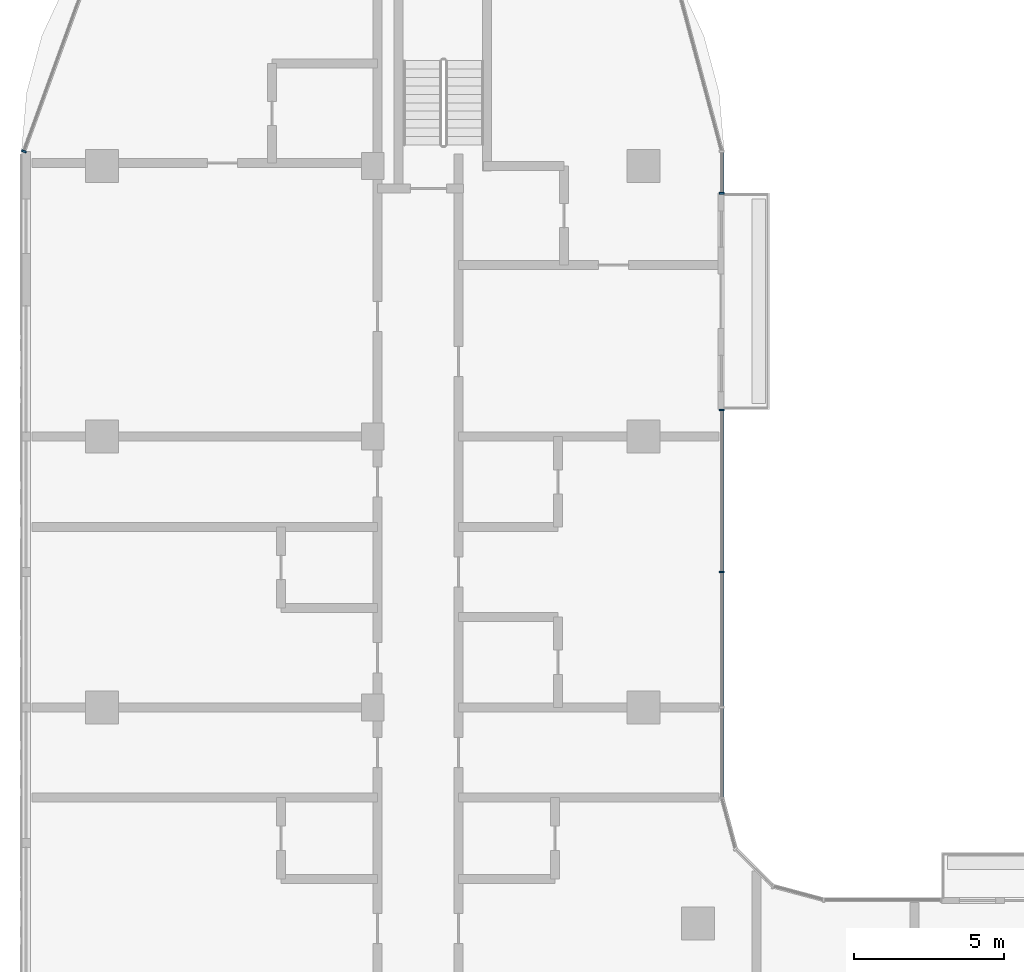
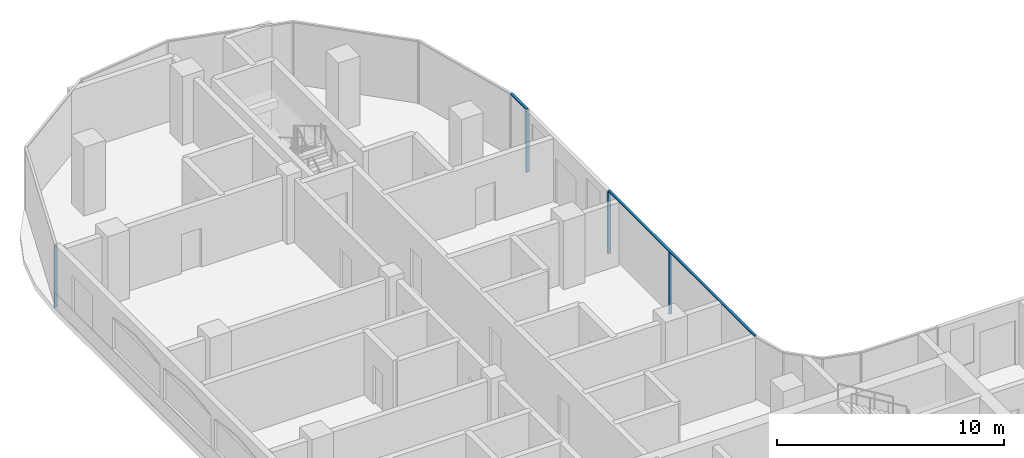
# One storey, part 5 of 25: 6 members, 3 elements without a shape of their own.
"""IFC4 building model written with IfcOpenShell, lengths in metres."""

from ifc_helpers import new_model, si_unit, direction, frame, origin, origin_2d, place, context, subcontext, project, spatial, rectangle, extrude, material, material_profile, profile_set, type_object, element, aggregate, save


model = new_model("IFC4")

# Units and contexts
model_context = context("Model", 3, precision=1e-05, world=origin(), true_north=direction((0.0, 1.0)))
body_context = subcontext(model_context, "Body", "Model", "MODEL_VIEW")
ifc_project = project(units=[si_unit("LENGTHUNIT", "METRE"), si_unit("AREAUNIT", "SQUARE_METRE"), si_unit("VOLUMEUNIT", "CUBIC_METRE"), si_unit("PLANEANGLEUNIT", "RADIAN"), si_unit("MASSUNIT", "GRAM", prefix="KILO")], contexts=[model_context])

# Site, building, storey
site_placement = place(None, origin())
site = spatial("IfcSite", under=ifc_project, at=site_placement, CompositionType="ELEMENT")
building_placement = place(site_placement, origin())
building = spatial("IfcBuilding", under=site, at=building_placement, Name="Ogive Portal Towers", CompositionType="ELEMENT")
storey_placement = place(building_placement, frame((0.0, 0.0, 182.89990234375)))
storey = spatial("IfcBuildingStorey", under=building, at=storey_placement, Name="L45", CompositionType="ELEMENT", Elevation=182.89990234375)

# Curtain wall, members
ifc_material_1 = material(Name="Glass, clear low-iron insulated glazing", Category="glass")
curtain_wall_type = type_object("IfcCurtainWallType", Name="CW FRONT RIBBON 4500", PredefinedType="NOTDEFINED", material=ifc_material_1)
curtain_wall_1_placement = place(storey_placement, origin())
curtain_wall_1 = element("IfcCurtainWall", 1, at=curtain_wall_1_placement, inside=storey, type_object=curtain_wall_type, Name="A:L45:f20:cw0", PredefinedType="NOTDEFINED")
ifc_material_2 = material(Name="Aluminium 6063 anodised", Category="aluminium")
ifc_material_profile_1 = material_profile(ifc_material_2, rectangle(XDim=0.159912109375, YDim=0.06005859375, at=origin_2d()), Name="AL 60x160")
ifc_profile_set_1 = profile_set([ifc_material_profile_1], Name="Aluminium 6063 anodised")
member_type_1 = type_object("IfcMemberType", Name="CW MULLION 60x160", PredefinedType="MULLION", material=ifc_profile_set_1)
member_1_placement = place(storey_placement, frame((52.10009765625, 53.0, 0.0), z_axis=(0.0, 0.0, 1.0), x_axis=(-1.0, 0.0, 0.0)))
member_1 = element("IfcMember", 2, at=member_1_placement, type_object=member_type_1, Name="mullion", PredefinedType="MULLION", context=body_context, shape_type="SweptSolid", body=[
    extrude(rectangle(XDim=0.159912109375, YDim=0.06005859375, at=origin_2d()), origin(), (0.0, 0.0, 1.0), 3.340087890625),
])
member_2_placement = place(storey_placement, frame((52.10009765625, 58.389404296875, 0.0), z_axis=(0.0, 0.0, 1.0), x_axis=(-1.0, 0.0, 0.0)))
member_2 = element("IfcMember", 3, at=member_2_placement, type_object=member_type_1, Name="mullion", PredefinedType="MULLION", context=body_context, shape_type="SweptSolid", body=[
    extrude(rectangle(XDim=0.159912109375, YDim=0.06005859375, at=origin_2d()), origin(), (0.0, 0.0, 1.0), 3.340087890625),
])

# Curtain wall, member
curtain_wall_2_placement = place(storey_placement, origin())
curtain_wall_2 = element("IfcCurtainWall", 4, at=curtain_wall_2_placement, inside=storey, type_object=curtain_wall_type, Name="A:L45:f20:cw1", PredefinedType="NOTDEFINED")
member_3_placement = place(storey_placement, frame((52.10009765625, 65.58935546875, 0.0), z_axis=(0.0, 0.0, 1.0), x_axis=(-1.0, 0.0, 0.0)))
member_3 = element("IfcMember", 5, at=member_3_placement, type_object=member_type_1, Name="mullion", PredefinedType="MULLION", context=body_context, shape_type="SweptSolid", body=[
    extrude(rectangle(XDim=0.159912109375, YDim=0.06005859375, at=origin_2d()), origin(), (0.0, 0.0, 1.0), 3.340087890625),
])

curtain_wall_3_placement = place(storey_placement, origin())
curtain_wall_3 = element("IfcCurtainWall", 6, at=curtain_wall_3_placement, inside=storey, type_object=curtain_wall_type, Name="A:L45:f21:cwa", PredefinedType="NOTDEFINED")
member_4_placement = place(storey_placement, frame((28.89990234375, 66.98583984375, 0.0), z_axis=(0.0, 0.0, 1.0), x_axis=(0.939692620786, -0.342020143326, 0.0)))
member_4 = element("IfcMember", 7, at=member_4_placement, type_object=member_type_1, Name="mullion", PredefinedType="MULLION", context=body_context, shape_type="SweptSolid", body=[
    extrude(rectangle(XDim=0.159912109375, YDim=0.06005859375, at=origin_2d()), origin(), (0.0, 0.0, 1.0), 3.340087890625),
])
aggregate(curtain_wall_3, [member_4])

# Member
ifc_material_profile_2 = material_profile(ifc_material_2, rectangle(XDim=0.1201171875, YDim=0.06005859375, at=origin_2d()), Name="AL 120x60")
ifc_profile_set_2 = profile_set([ifc_material_profile_2], Name="Aluminium 6063 anodised")
member_type_2 = type_object("IfcMemberType", Name="CW TRANSOM 60x120", PredefinedType="USERDEFINED", material=ifc_profile_set_2)
member_5_placement = place(storey_placement, frame((52.10009765625, 45.489501953125, 3.3701171875), z_axis=(0.0, 1.0, 0.0), x_axis=(-1.0, 0.0, 0.0)))
member_5 = element("IfcMember", 8, at=member_5_placement, type_object=member_type_2, Name="transom", ObjectType="TRANSOM", PredefinedType="USERDEFINED", context=body_context, shape_type="SweptSolid", body=[
    extrude(rectangle(XDim=0.1201171875, YDim=0.06005859375, at=origin_2d()), origin(), (0.0, 0.0, 1.0), 12.89990234375),
])

aggregate(curtain_wall_1, [member_5, member_1, member_2])

member_6_placement = place(storey_placement, frame((52.10009765625, 65.58935546875, 3.3701171875), z_axis=(0.0, 1.0, 0.0), x_axis=(-1.0, 0.0, 0.0)))
member_6 = element("IfcMember", 9, at=member_6_placement, type_object=member_type_2, Name="transom", ObjectType="TRANSOM", PredefinedType="USERDEFINED", context=body_context, shape_type="SweptSolid", body=[
    extrude(rectangle(XDim=0.1201171875, YDim=0.06005859375, at=origin_2d()), origin(), (0.0, 0.0, 1.0), 1.400146484375),
])

aggregate(curtain_wall_2, [member_6, member_3])

save(model, "model.ifc")
